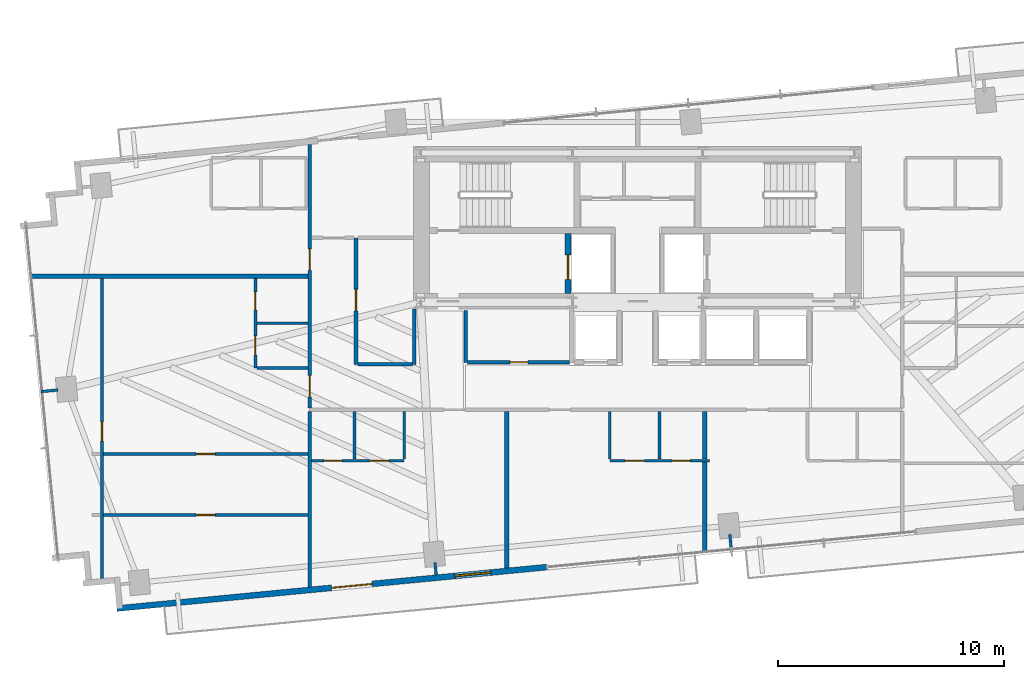
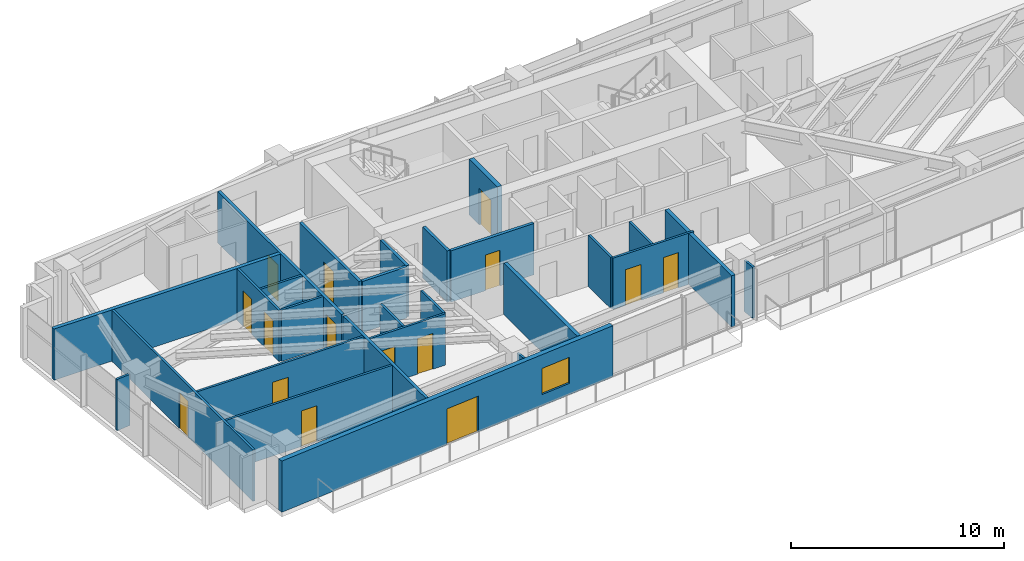
# One storey, part 21 of 27: 28 walls, 15 doors, 1 window, 16 openings.
"""IFC4 building model written with IfcOpenShell, lengths in metres."""

from ifc_helpers import new_model, si_unit, direction, frame, frame_2d, origin, place, context, subcontext, project, spatial, rectangle, extrude, source, transform, mapped, material, layer, layer_set, type_object, type_shapes, element, fill, save


model = new_model("IFC4")

# Units and contexts
model_context = context("Model", 3, precision=1e-05, world=origin(), true_north=direction((0.0, 1.0)))
body_context = subcontext(model_context, "Body", "Model", "MODEL_VIEW")
ifc_project = project(units=[si_unit("LENGTHUNIT", "METRE"), si_unit("AREAUNIT", "SQUARE_METRE"), si_unit("VOLUMEUNIT", "CUBIC_METRE"), si_unit("PLANEANGLEUNIT", "RADIAN"), si_unit("MASSUNIT", "GRAM", prefix="KILO")], contexts=[model_context])

# Site, building, storey
site_placement = place(None, origin())
site = spatial("IfcSite", under=ifc_project, at=site_placement, CompositionType="ELEMENT")
building_placement = place(site_placement, origin())
building = spatial("IfcBuilding", under=site, at=building_placement, Name="Astriad Promenade Condominiums", CompositionType="ELEMENT")
storey_placement = place(building_placement, frame((0.0, 0.0, 113.0)))
storey = spatial("IfcBuildingStorey", under=building, at=storey_placement, Name="L32", CompositionType="ELEMENT", Elevation=113.0)

# Wall, opening, door
ifc_material_1 = material(Name="Concrete C50/60", Category="concrete")
ifc_layer_1 = layer(ifc_material_1, 0.25)
ifc_layer_set_1 = layer_set([ifc_layer_1], Name="Concrete C50/60")
wall_type_1 = type_object("IfcWallType", Name="WALL-CORE-INT-250", PredefinedType="SOLIDWALL", material=ifc_layer_set_1)
wall_1_placement = place(storey_placement, frame((32.925048828125, 17.802001953125, 0.0), z_axis=(0.0, 0.0, 1.0), x_axis=(0.0, 1.0, 0.0)))
wall_1 = element("IfcWall", 1, at=wall_1_placement, inside=storey, type_object=wall_type_1, Name="CW-FFL1-W-L32", PredefinedType="SOLIDWALL", context=body_context, shape_type="SweptSolid", body=[
    extrude(rectangle(XDim=2.64599609375, YDim=0.25, at=frame_2d((1.322998046875, 0.0))), origin(), (0.0, 0.0, 1.0), 3.199951171875),
])
opening_1_placement = place(wall_1_placement, frame((0.597900390625, 0.0, 0.0)))
opening_1 = element("IfcOpeningElement", 2, at=opening_1_placement, cuts=wall_1, Name="Opening LD-FFL-1122", PredefinedType="OPENING", context=body_context, shape_type="SweptSolid", body=[
    extrude(rectangle(XDim=1.10009765625, YDim=2.080078125, at=frame_2d((0.550048828125, 1.0400390625))), frame((0.0, 0.135009765625, 0.0), z_axis=(0.0, -1.0, 0.0), x_axis=(1.0, 0.0, 0.0)), (0.0, 0.0, 1.0), 0.27001953125),
])
ifc_material_2 = material(Name="Brushed Stainless Steel Fire Elevator Landing Door", Category="steel")
door_type_1 = type_object("IfcDoorType", Name="LD-FFL-1122", OperationType="NOTDEFINED", PredefinedType="DOOR", material=ifc_material_2)
shared_shape_1 = source(origin(), body_context, "Body", "SweptSolid", [
    extrude(rectangle(XDim=1.10009765625, YDim=2.080078125, at=frame_2d((0.550048828125, 1.0400390625))), frame((0.0, 0.02490234375, 0.0), z_axis=(0.0, -1.0, 0.0), x_axis=(1.0, 0.0, 0.0)), (0.0, 0.0, 1.0), 0.050048828125),
])
type_shapes(door_type_1, [shared_shape_1])
door_1_placement = place(opening_1_placement, origin())
door_1 = element("IfcDoor", 3, at=door_1_placement, inside=storey, type_object=door_type_1, Name="Elevator Landing Door FFL-1 (L32)", OperationType="SLIDING_TO_LEFT", OverallHeight=2.080078125, OverallWidth=1.10009765625, PredefinedType="DOOR", context=body_context, shape_type="MappedRepresentation", body=[
    mapped(shared_shape_1, transform((0.0, 0.0, 0.0), scale=1.0)),
])
fill(opening_1, door_1)

# Wall
ifc_material_3 = material(Name="Fire-Rated Gypsum Partition")
ifc_layer_2 = layer(ifc_material_3, 0.159912109375)
ifc_layer_set_2 = layer_set([ifc_layer_2], Name="Fire-Rated Gypsum Partition")
wall_type_2 = type_object("IfcWallType", Name="WALL-CORR-160", PredefinedType="PARTITIONING", material=ifc_layer_set_2)
wall_2_placement = place(storey_placement, frame((28.39990234375, 14.75, 0.0), z_axis=(0.0, 0.0, 1.0), x_axis=(0.0, 1.0, 0.0)))
element("IfcWall", 4, at=wall_2_placement, inside=storey, type_object=wall_type_2, Name="REC-L-W-L32", PredefinedType="PARTITIONING", context=body_context, shape_type="SweptSolid", body=[
    extrude(rectangle(XDim=2.300048828125, YDim=0.159912109375, at=frame_2d((1.14990234375, 0.0))), origin(), (0.0, 0.0, 1.0), 2.93994140625),
])

# Wall, opening, door
wall_3_placement = place(storey_placement, frame((28.48193359375, 14.75, 0.0), z_axis=(0.0, 0.0, 1.0), x_axis=(1.0, 0.0, 0.0)))
wall_3 = element("IfcWall", 5, at=wall_3_placement, inside=storey, type_object=wall_type_2, Name="REC-L-S-L32", PredefinedType="PARTITIONING", context=body_context, shape_type="SweptSolid", body=[
    extrude(rectangle(XDim=4.51611328125, YDim=0.159912109375, at=frame_2d((2.258056640625, 0.0))), origin(), (0.0, 0.0, 1.0), 2.93994140625),
])
opening_2_placement = place(wall_3_placement, frame((1.867919921875, 0.0, 0.0)))
opening_2 = element("IfcOpeningElement", 6, at=opening_2_placement, cuts=wall_3, Name="Opening FD60-SV-080", PredefinedType="OPENING", context=body_context, shape_type="SweptSolid", body=[
    extrude(rectangle(XDim=0.800048828125, YDim=2.050048828125, at=frame_2d((0.39990234375, 1.02490234375))), frame((0.0, 0.08984375, 0.0), z_axis=(0.0, -1.0, 0.0), x_axis=(1.0, 0.0, 0.0)), (0.0, 0.0, 1.0), 0.179931640625),
])
ifc_material_4 = material(Name="Fire-Rated Riser Closet Door")
door_type_2 = type_object("IfcDoorType", Name="FD60-SV-080", OperationType="NOTDEFINED", PredefinedType="DOOR", material=ifc_material_4)
shared_shape_2 = source(origin(), body_context, "Body", "SweptSolid", [
    extrude(rectangle(XDim=0.800048828125, YDim=2.050048828125, at=frame_2d((0.39990234375, 1.02490234375))), frame((0.0, 0.02490234375, 0.0), z_axis=(0.0, -1.0, 0.0), x_axis=(1.0, 0.0, 0.0)), (0.0, 0.0, 1.0), 0.050048828125),
])
type_shapes(door_type_2, [shared_shape_2])
door_2_placement = place(opening_2_placement, origin())
door_2 = element("IfcDoor", 7, at=door_2_placement, inside=storey, type_object=door_type_2, Name="D-RECL-L32", OperationType="SINGLE_SWING_RIGHT", OverallHeight=2.050048828125, OverallWidth=0.800048828125, PredefinedType="DOOR", context=body_context, shape_type="MappedRepresentation", body=[
    mapped(shared_shape_2, transform((0.0, 0.0, 0.0), scale=1.0)),
])
fill(opening_2, door_2)

# Wall
wall_4_placement = place(storey_placement, frame((21.5, 4.8125, 0.0), z_axis=(0.0, 0.0, 1.0), x_axis=(0.0, 1.0, 0.0)))
element("IfcWall", 8, at=wall_4_placement, inside=storey, type_object=wall_type_2, Name="PT-COR-W-L32", PredefinedType="PARTITIONING", context=body_context, shape_type="SweptSolid", body=[
    extrude(rectangle(XDim=7.755615234375, YDim=0.159912109375, at=frame_2d((3.8779296875, 0.0))), origin(), (0.0, 0.0, 1.0), 2.93994140625),
])

# Wall, openings, doors
wall_5_placement = place(storey_placement, frame((21.5, 12.73193359375, 0.0), z_axis=(0.0, 0.0, 1.0), x_axis=(0.0, 1.0, 0.0)))
wall_5 = element("IfcWall", 9, at=wall_5_placement, inside=storey, type_object=wall_type_2, Name="PT-COR-W-L32-S2", PredefinedType="PARTITIONING", context=body_context, shape_type="SweptSolid", body=[
    extrude(rectangle(XDim=11.646728515625, YDim=0.159912109375, at=frame_2d((5.8232421875, 0.0))), origin(), (0.0, 0.0, 1.0), 2.93994140625),
])
opening_3_placement = place(wall_5_placement, frame((0.492919921875, 0.0, 0.0)))
opening_3 = element("IfcOpeningElement", 10, at=opening_3_placement, cuts=wall_5, Name="Opening FD60-APT-095", PredefinedType="OPENING", context=body_context, shape_type="SweptSolid", body=[
    extrude(rectangle(XDim=0.949951171875, YDim=2.06005859375, at=frame_2d((0.47509765625, 1.030029296875))), frame((0.0, 0.08984375, 0.0), z_axis=(0.0, -1.0, 0.0), x_axis=(1.0, 0.0, 0.0)), (0.0, 0.0, 1.0), 0.179931640625),
])
opening_4_placement = place(wall_5_placement, frame((6.0849609375, 0.0, 0.0)))
opening_4 = element("IfcOpeningElement", 11, at=opening_4_placement, cuts=wall_5, Name="Opening FD60-APT-095", PredefinedType="OPENING", context=body_context, shape_type="SweptSolid", body=[
    extrude(rectangle(XDim=0.949951171875, YDim=2.06005859375, at=frame_2d((0.47509765625, 1.030029296875))), frame((0.0, 0.08984375, 0.0), z_axis=(0.0, -1.0, 0.0), x_axis=(1.0, 0.0, 0.0)), (0.0, 0.0, 1.0), 0.179931640625),
])
ifc_material_5 = material(Name="Solid-Core Acoustic Timber Residence Entry Door", Category="wood")
door_type_3 = type_object("IfcDoorType", Name="FD60-APT-095", OperationType="NOTDEFINED", PredefinedType="DOOR", material=ifc_material_5)
shared_shape_3 = source(origin(), body_context, "Body", "SweptSolid", [
    extrude(rectangle(XDim=0.949951171875, YDim=2.06005859375, at=frame_2d((0.47509765625, 1.030029296875))), frame((0.0, 0.02490234375, 0.0), z_axis=(0.0, -1.0, 0.0), x_axis=(1.0, 0.0, 0.0)), (0.0, 0.0, 1.0), 0.050048828125),
])
type_shapes(door_type_3, [shared_shape_3])
door_3_placement = place(opening_3_placement, origin())
door_3 = element("IfcDoor", 12, at=door_3_placement, inside=storey, type_object=door_type_3, Name="D-ENT-L32-W1", OperationType="SINGLE_SWING_RIGHT", OverallHeight=2.06005859375, OverallWidth=0.949951171875, PredefinedType="DOOR", context=body_context, shape_type="MappedRepresentation", body=[
    mapped(shared_shape_3, transform((0.0, 0.0, 0.0), scale=1.0)),
])
fill(opening_3, door_3)
door_4_placement = place(opening_4_placement, origin())
door_4 = element("IfcDoor", 13, at=door_4_placement, inside=storey, type_object=door_type_3, Name="D-ENT-L32-W2", OperationType="SINGLE_SWING_RIGHT", OverallHeight=2.06005859375, OverallWidth=0.949951171875, PredefinedType="DOOR", context=body_context, shape_type="MappedRepresentation", body=[
    mapped(shared_shape_3, transform((0.0, 0.0, 0.0), scale=1.0)),
])
fill(opening_4, door_4)

# Wall, opening, door
wall_6_placement = place(storey_placement, frame((23.550048828125, 14.659912109375, 0.0), z_axis=(0.0, 0.0, 1.0), x_axis=(0.0, 1.0, 0.0)))
wall_6 = element("IfcWall", 14, at=wall_6_placement, inside=storey, type_object=wall_type_2, Name="PT-HK-E-L32", PredefinedType="PARTITIONING", context=body_context, shape_type="SweptSolid", body=[
    extrude(rectangle(XDim=5.590087890625, YDim=0.159912109375, at=frame_2d((2.794921875, 0.0))), origin(), (0.0, 0.0, 1.0), 2.93994140625),
])
opening_5_placement = place(wall_6_placement, frame((2.360107421875, 0.0, 0.0)))
opening_5 = element("IfcOpeningElement", 15, at=opening_5_placement, cuts=wall_6, Name="Opening FD60-APT-095", PredefinedType="OPENING", context=body_context, shape_type="SweptSolid", body=[
    extrude(rectangle(XDim=0.949951171875, YDim=2.06005859375, at=frame_2d((0.47509765625, 1.030029296875))), frame((0.0, 0.08984375, 0.0), z_axis=(0.0, -1.0, 0.0), x_axis=(1.0, 0.0, 0.0)), (0.0, 0.0, 1.0), 0.179931640625),
])
door_5_placement = place(opening_5_placement, origin())
door_5 = element("IfcDoor", 16, at=door_5_placement, inside=storey, type_object=door_type_3, Name="D-HKA-L32", OperationType="SINGLE_SWING_LEFT", OverallHeight=2.06005859375, OverallWidth=0.949951171875, PredefinedType="DOOR", context=body_context, shape_type="MappedRepresentation", body=[
    mapped(shared_shape_3, transform((0.0, 0.0, 0.0), scale=1.0)),
])
fill(opening_5, door_5)

# Walls
wall_7_placement = place(storey_placement, frame((26.1201171875, 14.659912109375, 0.0), z_axis=(0.0, 0.0, 1.0), x_axis=(0.0, 1.0, 0.0)))
element("IfcWall", 17, at=wall_7_placement, inside=storey, type_object=wall_type_2, Name="PT-WSPUR-W-L32", PredefinedType="PARTITIONING", context=body_context, shape_type="SweptSolid", body=[
    extrude(rectangle(XDim=2.43798828125, YDim=0.159912109375, at=frame_2d((1.218994140625, 0.0))), origin(), (0.0, 0.0, 1.0), 2.93994140625),
])
wall_8_placement = place(storey_placement, frame((23.632080078125, 14.659912109375, 0.0), z_axis=(0.0, 0.0, 1.0), x_axis=(1.0, 0.0, 0.0)))
element("IfcWall", 18, at=wall_8_placement, inside=storey, type_object=wall_type_2, Name="PT-HK-S-L32", PredefinedType="PARTITIONING", context=body_context, shape_type="SweptSolid", body=[
    extrude(rectangle(XDim=2.406005859375, YDim=0.159912109375, at=frame_2d((1.203125, 0.0))), origin(), (0.0, 0.0, 1.0), 2.93994140625),
])
ifc_material_6 = material(Name="Acoustic Double-Stud Gypsum Partition")
ifc_layer_3 = layer(ifc_material_6, 0.199951171875)
ifc_layer_set_3 = layer_set([ifc_layer_3], Name="Acoustic Double-Stud Gypsum Partition")
wall_type_3 = type_object("IfcWallType", Name="WALL-DEMISING-200", PredefinedType="PARTITIONING", material=ifc_layer_set_3)
wall_9_placement = place(storey_placement, frame((30.22509765625, 5.652587890625, 0.0), z_axis=(0.0, 0.0, 1.0), x_axis=(0.0, 1.0, 0.0)))
element("IfcWall", 19, at=wall_9_placement, inside=storey, type_object=wall_type_3, Name="PT-DEM-S1-L32", PredefinedType="PARTITIONING", context=body_context, shape_type="SweptSolid", body=[
    extrude(rectangle(XDim=6.91552734375, YDim=0.199951171875, at=frame_2d((3.457763671875, 0.0))), origin(), (0.0, 0.0, 1.0), 2.93994140625),
])
wall_10_placement = place(storey_placement, frame((38.97509765625, 6.3125, 0.0), z_axis=(0.0, 0.0, 1.0), x_axis=(0.0, 1.0, 0.0)))
element("IfcWall", 20, at=wall_10_placement, inside=storey, type_object=wall_type_3, Name="PT-DEM-S2-L32", PredefinedType="PARTITIONING", context=body_context, shape_type="SweptSolid", body=[
    extrude(rectangle(XDim=4.025390625, YDim=0.199951171875, at=frame_2d((2.0126953125, 0.0))), origin(), (0.0, 0.0, 1.0), 2.93994140625),
])
wall_11_placement = place(storey_placement, frame((38.97509765625, 10.4619140625, 0.0), z_axis=(0.0, 0.0, 1.0), x_axis=(0.0, 1.0, 0.0)))
element("IfcWall", 21, at=wall_11_placement, inside=storey, type_object=wall_type_3, Name="PT-DEM-S2-L32-S2", PredefinedType="PARTITIONING", context=body_context, shape_type="SweptSolid", body=[
    extrude(rectangle(XDim=2.106201171875, YDim=0.199951171875, at=frame_2d((1.05322265625, 0.0))), origin(), (0.0, 0.0, 1.0), 2.93994140625),
])
wall_12_placement = place(storey_placement, frame((9.1259765625, 18.550048828125, 0.0), z_axis=(0.0, 0.0, 1.0), x_axis=(1.0, 0.0, 0.0)))
element("IfcWall", 22, at=wall_12_placement, inside=storey, type_object=wall_type_3, Name="PT-DEM-WW-L32", PredefinedType="PARTITIONING", context=body_context, shape_type="SweptSolid", body=[
    extrude(rectangle(XDim=12.2919921875, YDim=0.199951171875, at=frame_2d((6.14599609375, 0.0))), origin(), (0.0, 0.0, 1.0), 2.93994140625),
])

# Wall, openings, door, window
ifc_material_7 = material(Name="Precast concrete C50/60", Category="concrete")
ifc_layer_4 = layer(ifc_material_7, 0.260009765625)
ifc_layer_set_4 = layer_set([ifc_layer_4], Name="Precast concrete C50/60")
wall_type_4 = type_object("IfcWallType", Name="WALL-EXT-TWR-260", PredefinedType="STANDARD", material=ifc_layer_set_4)
wall_13_placement = place(storey_placement, frame((31.99365234375, 5.6904296875, 0.0), z_axis=(0.0, 0.0, 1.0), x_axis=(-0.995396521236, -0.095842399342, 0.0)))
wall_13 = element("IfcWall", 23, at=wall_13_placement, inside=storey, type_object=wall_type_4, Name="W-EXT-L32-S2", PredefinedType="STANDARD", context=body_context, shape_type="SweptSolid", body=[
    extrude(rectangle(XDim=19.10986328125, YDim=0.260009765625, at=frame_2d((9.554931640625, 0.0))), origin(), (0.0, 0.0, 1.0), 2.93994140625),
])
opening_6_placement = place(wall_13_placement, frame((7.77001953125, 0.0, 0.0)))
opening_6 = element("IfcOpeningElement", 24, at=opening_6_placement, cuts=wall_13, Name="Opening BD-1822-SLD", PredefinedType="OPENING", context=body_context, shape_type="SweptSolid", body=[
    extrude(rectangle(XDim=1.800048828125, YDim=2.06005859375, at=frame_2d((0.89990234375, 1.030029296875))), frame((0.0, 0.139892578125, 0.0), z_axis=(0.0, -1.0, 0.0), x_axis=(1.0, 0.0, 0.0)), (0.0, 0.0, 1.0), 0.280029296875),
])
opening_7_placement = place(wall_13_placement, frame((2.5, 0.0, 0.64990234375)))
opening_7 = element("IfcOpeningElement", 25, at=opening_7_placement, cuts=wall_13, Name="Opening WIN-TWR-1620", PredefinedType="OPENING", context=body_context, shape_type="SweptSolid", body=[
    extrude(rectangle(XDim=1.60009765625, YDim=1.5, at=frame_2d((0.800048828125, 0.75))), frame((0.0, 0.139892578125, 0.0), z_axis=(0.0, -1.0, 0.0), x_axis=(1.0, 0.0, 0.0)), (0.0, 0.0, 1.0), 0.280029296875),
])
ifc_material_8 = material(Name="Thermally Broken Aluminium Sliding Balcony Door", Category="aluminium")
door_type_4 = type_object("IfcDoorType", Name="BD-1822-SLD", OperationType="NOTDEFINED", PredefinedType="DOOR", material=ifc_material_8)
shared_shape_4 = source(origin(), body_context, "Body", "SweptSolid", [
    extrude(rectangle(XDim=1.800048828125, YDim=2.06005859375, at=frame_2d((0.89990234375, 1.030029296875))), frame((0.0, 0.02490234375, 0.0), z_axis=(0.0, -1.0, 0.0), x_axis=(1.0, 0.0, 0.0)), (0.0, 0.0, 1.0), 0.050048828125),
])
type_shapes(door_type_4, [shared_shape_4])
door_6_placement = place(opening_6_placement, origin())
door_6 = element("IfcDoor", 26, at=door_6_placement, inside=storey, type_object=door_type_4, Name="BD-L32-SW", OperationType="SLIDING_TO_LEFT", OverallHeight=2.06005859375, OverallWidth=1.800048828125, PredefinedType="DOOR", context=body_context, shape_type="MappedRepresentation", body=[
    mapped(shared_shape_4, transform((0.0, 0.0, 0.0), scale=1.0)),
])
fill(opening_6, door_6)
ifc_material_9 = material(Name="Dark Tinted Triple-Glazed Aluminium Window", Category="aluminium")
window_type = type_object("IfcWindowType", Name="WIN-TWR-1620", PartitioningType="SINGLE_PANEL", PredefinedType="WINDOW", material=ifc_material_9)
shared_shape_5 = source(origin(), body_context, "Body", "SweptSolid", [
    extrude(rectangle(XDim=1.60009765625, YDim=1.5, at=frame_2d((0.800048828125, 0.75))), frame((0.0, 0.030029296875, 0.0), z_axis=(0.0, -1.0, 0.0), x_axis=(1.0, 0.0, 0.0)), (0.0, 0.0, 1.0), 0.06005859375),
])
type_shapes(window_type, [shared_shape_5])
window_placement = place(opening_7_placement, origin())
window = element("IfcWindow", 27, at=window_placement, inside=storey, type_object=window_type, Name="WIN-L32-SW", OverallHeight=1.5, OverallWidth=1.60009765625, PartitioningType="SINGLE_PANEL", PredefinedType="WINDOW", context=body_context, shape_type="MappedRepresentation", body=[
    mapped(shared_shape_5, transform((0.0, 0.0, 0.0), scale=1.0)),
])
fill(opening_7, window)

# Wall, openings, doors
ifc_material_10 = material(Name="Acoustic Metal-Stud Gypsum Partition")
ifc_layer_5 = layer(ifc_material_10, 0.1201171875)
ifc_layer_set_5 = layer_set([ifc_layer_5], Name="Acoustic Metal-Stud Gypsum Partition")
wall_type_5 = type_object("IfcWallType", Name="WALL-PART-120", PredefinedType="PARTITIONING", material=ifc_layer_set_5)
wall_14_placement = place(storey_placement, frame((21.58203125, 10.39990234375, 0.0), z_axis=(0.0, 0.0, 1.0), x_axis=(1.0, 0.0, 0.0)))
wall_14 = element("IfcWall", 28, at=wall_14_placement, inside=storey, type_object=wall_type_5, Name="PT-L32-S1-PS", PredefinedType="PARTITIONING", context=body_context, shape_type="SweptSolid", body=[
    extrude(rectangle(XDim=4.097900390625, YDim=0.1201171875, at=frame_2d((2.048828125, 0.0))), origin(), (0.0, 0.0, 1.0), 2.93994140625),
])
opening_8_placement = place(wall_14_placement, frame((0.548095703125, 0.0, 0.0)))
opening_8 = element("IfcOpeningElement", 29, at=opening_8_placement, cuts=wall_14, Name="Opening D-WET-080", PredefinedType="OPENING", context=body_context, shape_type="SweptSolid", body=[
    extrude(rectangle(XDim=0.800048828125, YDim=2.02001953125, at=frame_2d((0.39990234375, 1.010009765625))), frame((0.0, 0.070068359375, 0.0), z_axis=(0.0, -1.0, 0.0), x_axis=(1.0, 0.0, 0.0)), (0.0, 0.0, 1.0), 0.14013671875),
])
opening_9_placement = place(wall_14_placement, frame((2.572998046875, 0.0, 0.0)))
opening_9 = element("IfcOpeningElement", 30, at=opening_9_placement, cuts=wall_14, Name="Opening D-INT-085", PredefinedType="OPENING", context=body_context, shape_type="SweptSolid", body=[
    extrude(rectangle(XDim=0.85009765625, YDim=2.050048828125, at=frame_2d((0.425048828125, 1.02490234375))), frame((0.0, 0.070068359375, 0.0), z_axis=(0.0, -1.0, 0.0), x_axis=(1.0, 0.0, 0.0)), (0.0, 0.0, 1.0), 0.14013671875),
])
ifc_material_11 = material(Name="Moisture-Resistant Timber Bathroom Door", Category="wood")
door_type_5 = type_object("IfcDoorType", Name="D-WET-080", OperationType="NOTDEFINED", PredefinedType="DOOR", material=ifc_material_11)
shared_shape_6 = source(origin(), body_context, "Body", "SweptSolid", [
    extrude(rectangle(XDim=0.800048828125, YDim=2.02001953125, at=frame_2d((0.39990234375, 1.010009765625))), frame((0.0, 0.02490234375, 0.0), z_axis=(0.0, -1.0, 0.0), x_axis=(1.0, 0.0, 0.0)), (0.0, 0.0, 1.0), 0.050048828125),
])
type_shapes(door_type_5, [shared_shape_6])
door_7_placement = place(opening_8_placement, origin())
door_7 = element("IfcDoor", 31, at=door_7_placement, inside=storey, type_object=door_type_5, Name="D-BTH-L32-S1", OperationType="SINGLE_SWING_RIGHT", OverallHeight=2.02001953125, OverallWidth=0.800048828125, PredefinedType="DOOR", context=body_context, shape_type="MappedRepresentation", body=[
    mapped(shared_shape_6, transform((0.0, 0.0, 0.0), scale=1.0)),
])
fill(opening_8, door_7)
ifc_material_12 = material(Name="Painted Solid-Core Timber Room Door", Category="wood")
door_type_6 = type_object("IfcDoorType", Name="D-INT-085", OperationType="NOTDEFINED", PredefinedType="DOOR", material=ifc_material_12)
shared_shape_7 = source(origin(), body_context, "Body", "SweptSolid", [
    extrude(rectangle(XDim=0.85009765625, YDim=2.050048828125, at=frame_2d((0.425048828125, 1.02490234375))), frame((0.0, 0.02490234375, 0.0), z_axis=(0.0, -1.0, 0.0), x_axis=(1.0, 0.0, 0.0)), (0.0, 0.0, 1.0), 0.050048828125),
])
type_shapes(door_type_6, [shared_shape_7])
door_8_placement = place(opening_9_placement, origin())
door_8 = element("IfcDoor", 32, at=door_8_placement, inside=storey, type_object=door_type_6, Name="D-KIT-L32-S1", OperationType="SINGLE_SWING_LEFT", OverallHeight=2.050048828125, OverallWidth=0.85009765625, PredefinedType="DOOR", context=body_context, shape_type="MappedRepresentation", body=[
    mapped(shared_shape_7, transform((0.0, 0.0, 0.0), scale=1.0)),
])
fill(opening_9, door_8)

# Walls
for number, where, z_axis, x_axis, name in (
    (33, (25.679931640625, 10.4619140625, 0.0), (0.0, 0.0, 1.0), (0.0, 1.0, 0.0), "PT-L32-S1-PK"),
    (34, (23.47998046875, 10.4619140625, 0.0), (0.0, 0.0, 1.0), (0.0, 1.0, 0.0), "PT-L32-S1-PB"),
):
    element("IfcWall", number, at=place(storey_placement, frame(where, z_axis=z_axis, x_axis=x_axis)), inside=storey, type_object=wall_type_5, Name=name, PredefinedType="PARTITIONING", context=body_context, shape_type="SweptSolid", body=[
        extrude(rectangle(XDim=2.106201171875, YDim=0.1201171875, at=frame_2d((1.05322265625, 0.0))), origin(), (0.0, 0.0, 1.0), 2.93994140625),
    ])

# Wall, openings, doors
wall_15_placement = place(storey_placement, frame((34.77490234375, 10.39990234375, 0.0), z_axis=(0.0, 0.0, 1.0), x_axis=(1.0, 0.0, 0.0)))
wall_15 = element("IfcWall", 35, at=wall_15_placement, inside=storey, type_object=wall_type_5, Name="PT-L32-S2-PS", PredefinedType="PARTITIONING", context=body_context, shape_type="SweptSolid", body=[
    extrude(rectangle(XDim=4.400146484375, YDim=0.1201171875, at=frame_2d((2.2001953125, 0.0))), origin(), (0.0, 0.0, 1.0), 2.93994140625),
])
opening_10_placement = place(wall_15_placement, frame((0.675048828125, 0.0, 0.0)))
opening_10 = element("IfcOpeningElement", 36, at=opening_10_placement, cuts=wall_15, Name="Opening D-INT-085", PredefinedType="OPENING", context=body_context, shape_type="SweptSolid", body=[
    extrude(rectangle(XDim=0.85009765625, YDim=2.050048828125, at=frame_2d((0.425048828125, 1.02490234375))), frame((0.0, 0.070068359375, 0.0), z_axis=(0.0, -1.0, 0.0), x_axis=(1.0, 0.0, 0.0)), (0.0, 0.0, 1.0), 0.14013671875),
])
opening_11_placement = place(wall_15_placement, frame((2.75, 0.0, 0.0)))
opening_11 = element("IfcOpeningElement", 37, at=opening_11_placement, cuts=wall_15, Name="Opening D-WET-080", PredefinedType="OPENING", context=body_context, shape_type="SweptSolid", body=[
    extrude(rectangle(XDim=0.800048828125, YDim=2.02001953125, at=frame_2d((0.39990234375, 1.010009765625))), frame((0.0, 0.070068359375, 0.0), z_axis=(0.0, -1.0, 0.0), x_axis=(1.0, 0.0, 0.0)), (0.0, 0.0, 1.0), 0.14013671875),
])
door_9_placement = place(opening_11_placement, origin())
door_9 = element("IfcDoor", 38, at=door_9_placement, inside=storey, type_object=door_type_5, Name="D-BTH-L32-S2", OperationType="SINGLE_SWING_RIGHT", OverallHeight=2.02001953125, OverallWidth=0.800048828125, PredefinedType="DOOR", context=body_context, shape_type="MappedRepresentation", body=[
    mapped(shared_shape_6, transform((0.0, 0.0, 0.0), scale=1.0)),
])
fill(opening_11, door_9)
door_10_placement = place(opening_10_placement, origin())
door_10 = element("IfcDoor", 39, at=door_10_placement, inside=storey, type_object=door_type_6, Name="D-KIT-L32-S2", OperationType="SINGLE_SWING_LEFT", OverallHeight=2.050048828125, OverallWidth=0.85009765625, PredefinedType="DOOR", context=body_context, shape_type="MappedRepresentation", body=[
    mapped(shared_shape_7, transform((0.0, 0.0, 0.0), scale=1.0)),
])
fill(opening_10, door_10)

# Walls
for number, where, z_axis, x_axis, name in (
    (40, (34.77490234375, 10.4619140625, 0.0), (0.0, 0.0, 1.0), (0.0, 1.0, 0.0), "PT-L32-S2-PK"),
    (41, (36.97509765625, 10.4619140625, 0.0), (0.0, 0.0, 1.0), (0.0, 1.0, 0.0), "PT-L32-S2-PB"),
):
    element("IfcWall", number, at=place(storey_placement, frame(where, z_axis=z_axis, x_axis=x_axis)), inside=storey, type_object=wall_type_5, Name=name, PredefinedType="PARTITIONING", context=body_context, shape_type="SweptSolid", body=[
        extrude(rectangle(XDim=2.106201171875, YDim=0.1201171875, at=frame_2d((1.05322265625, 0.0))), origin(), (0.0, 0.0, 1.0), 2.93994140625),
    ])

# Wall, openings, doors
wall_16_placement = place(storey_placement, frame((19.10009765625, 14.5, 0.0), z_axis=(0.0, 0.0, 1.0), x_axis=(0.0, 1.0, 0.0)))
wall_16 = element("IfcWall", 42, at=wall_16_placement, inside=storey, type_object=wall_type_5, Name="PT-L32-W1-PV", PredefinedType="PARTITIONING", context=body_context, shape_type="SweptSolid", body=[
    extrude(rectangle(XDim=3.947998046875, YDim=0.1201171875, at=frame_2d((1.97412109375, 0.0))), origin(), (0.0, 0.0, 1.0), 2.93994140625),
])
opening_12_placement = place(wall_16_placement, frame((0.56298828125, 0.0, 0.0)))
opening_12 = element("IfcOpeningElement", 43, at=opening_12_placement, cuts=wall_16, Name="Opening D-INT-085", PredefinedType="OPENING", context=body_context, shape_type="SweptSolid", body=[
    extrude(rectangle(XDim=0.85009765625, YDim=2.050048828125, at=frame_2d((0.425048828125, 1.02490234375))), frame((0.0, 0.070068359375, 0.0), z_axis=(0.0, -1.0, 0.0), x_axis=(1.0, 0.0, 0.0)), (0.0, 0.0, 1.0), 0.14013671875),
])
opening_13_placement = place(wall_16_placement, frame((2.56201171875, 0.0, 0.0)))
opening_13 = element("IfcOpeningElement", 44, at=opening_13_placement, cuts=wall_16, Name="Opening D-WET-080", PredefinedType="OPENING", context=body_context, shape_type="SweptSolid", body=[
    extrude(rectangle(XDim=0.800048828125, YDim=2.02001953125, at=frame_2d((0.39990234375, 1.010009765625))), frame((0.0, 0.070068359375, 0.0), z_axis=(0.0, -1.0, 0.0), x_axis=(1.0, 0.0, 0.0)), (0.0, 0.0, 1.0), 0.14013671875),
])
door_11_placement = place(opening_13_placement, origin())
door_11 = element("IfcDoor", 45, at=door_11_placement, inside=storey, type_object=door_type_5, Name="D-BTH-L32-W1", OperationType="SINGLE_SWING_RIGHT", OverallHeight=2.02001953125, OverallWidth=0.800048828125, PredefinedType="DOOR", context=body_context, shape_type="MappedRepresentation", body=[
    mapped(shared_shape_6, transform((0.0, 0.0, 0.0), scale=1.0)),
])
fill(opening_13, door_11)
door_12_placement = place(opening_12_placement, origin())
door_12 = element("IfcDoor", 46, at=door_12_placement, inside=storey, type_object=door_type_6, Name="D-KIT-L32-W1", OperationType="SINGLE_SWING_LEFT", OverallHeight=2.050048828125, OverallWidth=0.85009765625, PredefinedType="DOOR", context=body_context, shape_type="MappedRepresentation", body=[
    mapped(shared_shape_7, transform((0.0, 0.0, 0.0), scale=1.0)),
])
fill(opening_12, door_12)

# Walls
for number, where, z_axis, x_axis, name in (
    (47, (19.162109375, 16.47509765625, 0.0), (0.0, 0.0, 1.0), (1.0, 0.0, 0.0), "PT-L32-W1-PM"),
    (48, (19.162109375, 14.5, 0.0), (0.0, 0.0, 1.0), (1.0, 0.0, 0.0), "PT-L32-W1-PS"),
):
    element("IfcWall", number, at=place(storey_placement, frame(where, z_axis=z_axis, x_axis=x_axis)), inside=storey, type_object=wall_type_5, Name=name, PredefinedType="PARTITIONING", context=body_context, shape_type="SweptSolid", body=[
        extrude(rectangle(XDim=2.255859375, YDim=0.1201171875, at=frame_2d((1.1279296875, 0.0))), origin(), (0.0, 0.0, 1.0), 2.93994140625),
    ])

# Wall, opening, door
wall_17_placement = place(storey_placement, frame((12.31494140625, 5.18408203125, 0.0), z_axis=(0.0, 0.0, 1.0), x_axis=(0.0, 1.0, 0.0)))
wall_17 = element("IfcWall", 49, at=wall_17_placement, inside=storey, type_object=wall_type_5, Name="PT-L32-W1-B1", PredefinedType="PARTITIONING", context=body_context, shape_type="SweptSolid", body=[
    extrude(rectangle(XDim=13.263916015625, YDim=0.1201171875, at=frame_2d((6.6318359375, 0.0))), origin(), (0.0, 0.0, 1.0), 2.93994140625),
])
opening_14_placement = place(wall_17_placement, frame((6.075927734375, 0.0, 0.0)))
opening_14 = element("IfcOpeningElement", 50, at=opening_14_placement, cuts=wall_17, Name="Opening D-INT-085", PredefinedType="OPENING", context=body_context, shape_type="SweptSolid", body=[
    extrude(rectangle(XDim=0.85009765625, YDim=2.050048828125, at=frame_2d((0.425048828125, 1.02490234375))), frame((0.0, 0.070068359375, 0.0), z_axis=(0.0, -1.0, 0.0), x_axis=(1.0, 0.0, 0.0)), (0.0, 0.0, 1.0), 0.14013671875),
])
door_13_placement = place(opening_14_placement, origin())
door_13 = element("IfcDoor", 51, at=door_13_placement, inside=storey, type_object=door_type_6, Name="D-BD1-L32-W1", OperationType="SINGLE_SWING_LEFT", OverallHeight=2.050048828125, OverallWidth=0.85009765625, PredefinedType="DOOR", context=body_context, shape_type="MappedRepresentation", body=[
    mapped(shared_shape_7, transform((0.0, 0.0, 0.0), scale=1.0)),
])
fill(opening_14, door_13)

wall_18_placement = place(storey_placement, frame((12.376953125, 7.9951171875, 0.0), z_axis=(0.0, 0.0, 1.0), x_axis=(1.0, 0.0, 0.0)))
wall_18 = element("IfcWall", 52, at=wall_18_placement, inside=storey, type_object=wall_type_5, Name="PT-L32-W1-WDS1-S2", PredefinedType="PARTITIONING", context=body_context, shape_type="SweptSolid", body=[
    extrude(rectangle(XDim=9.041015625, YDim=0.1201171875, at=frame_2d((4.5205078125, 0.0))), origin(), (0.0, 0.0, 1.0), 2.93994140625),
])
opening_15_placement = place(wall_18_placement, frame((4.095947265625, 0.0, 0.0)))
opening_15 = element("IfcOpeningElement", 53, at=opening_15_placement, cuts=wall_18, Name="Opening D-INT-085", PredefinedType="OPENING", context=body_context, shape_type="SweptSolid", body=[
    extrude(rectangle(XDim=0.85009765625, YDim=2.050048828125, at=frame_2d((0.425048828125, 1.02490234375))), frame((0.0, 0.070068359375, 0.0), z_axis=(0.0, -1.0, 0.0), x_axis=(1.0, 0.0, 0.0)), (0.0, 0.0, 1.0), 0.14013671875),
])
door_14_placement = place(opening_15_placement, origin())
door_14 = element("IfcDoor", 54, at=door_14_placement, inside=storey, type_object=door_type_6, Name="D-WDS1-L32-W1", OperationType="SINGLE_SWING_RIGHT", OverallHeight=2.050048828125, OverallWidth=0.85009765625, PredefinedType="DOOR", context=body_context, shape_type="MappedRepresentation", body=[
    mapped(shared_shape_7, transform((0.0, 0.0, 0.0), scale=1.0)),
])
fill(opening_15, door_14)

wall_19_placement = place(storey_placement, frame((12.376953125, 10.69189453125, 0.0), z_axis=(0.0, 0.0, 1.0), x_axis=(1.0, 0.0, 0.0)))
wall_19 = element("IfcWall", 55, at=wall_19_placement, inside=storey, type_object=wall_type_5, Name="PT-L32-W1-WDS2-S2", PredefinedType="PARTITIONING", context=body_context, shape_type="SweptSolid", body=[
    extrude(rectangle(XDim=9.041015625, YDim=0.1201171875, at=frame_2d((4.5205078125, 0.0))), origin(), (0.0, 0.0, 1.0), 2.93994140625),
])
opening_16_placement = place(wall_19_placement, frame((4.095947265625, 0.0, 0.0)))
opening_16 = element("IfcOpeningElement", 56, at=opening_16_placement, cuts=wall_19, Name="Opening D-INT-085", PredefinedType="OPENING", context=body_context, shape_type="SweptSolid", body=[
    extrude(rectangle(XDim=0.85009765625, YDim=2.050048828125, at=frame_2d((0.425048828125, 1.02490234375))), frame((0.0, 0.070068359375, 0.0), z_axis=(0.0, -1.0, 0.0), x_axis=(1.0, 0.0, 0.0)), (0.0, 0.0, 1.0), 0.14013671875),
])
door_15_placement = place(opening_16_placement, origin())
door_15 = element("IfcDoor", 57, at=door_15_placement, inside=storey, type_object=door_type_6, Name="D-WDS2-L32-W1", OperationType="SINGLE_SWING_LEFT", OverallHeight=2.050048828125, OverallWidth=0.85009765625, PredefinedType="DOOR", context=body_context, shape_type="MappedRepresentation", body=[
    mapped(shared_shape_7, transform((0.0, 0.0, 0.0), scale=1.0)),
])
fill(opening_16, door_15)

# Walls
wall_20_placement = place(storey_placement, frame((27.0419921875, 5.88671875, 0.0), z_axis=(0.0, 0.0, 1.0), x_axis=(0.096222656154, -0.995359834654, 0.0)))
element("IfcWall", 58, at=wall_20_placement, inside=storey, type_object=wall_type_5, Name="PT-PIL-L32-PC02-9", PredefinedType="PARTITIONING", context=body_context, shape_type="SweptSolid", body=[
    extrude(rectangle(XDim=0.537841796875, YDim=0.1201171875, at=frame_2d((0.26904296875, 0.0))), origin(), (0.0, 0.0, 1.0), 2.93994140625),
])
wall_21_placement = place(storey_placement, frame((40.081787109375, 7.142333984375, 0.0), z_axis=(0.0, 0.0, 1.0), x_axis=(0.095944965663, -0.995386640238, 0.0)))
element("IfcWall", 59, at=wall_21_placement, inside=storey, type_object=wall_type_5, Name="PT-PIL-L32-PC03-10", PredefinedType="PARTITIONING", context=body_context, shape_type="SweptSolid", body=[
    extrude(rectangle(XDim=0.72021484375, YDim=0.1201171875, at=frame_2d((0.360107421875, 0.0))), origin(), (0.0, 0.0, 1.0), 2.93994140625),
])
wall_22_placement = place(storey_placement, frame((10.373291015625, 13.5244140625, 0.0), z_axis=(0.0, 0.0, 1.0), x_axis=(-0.995377786728, -0.096036772582, 0.0)))
element("IfcWall", 60, at=wall_22_placement, inside=storey, type_object=wall_type_5, Name="PT-PIL-L32-PC11-18", PredefinedType="PARTITIONING", context=body_context, shape_type="SweptSolid", body=[
    extrude(rectangle(XDim=0.760009765625, YDim=0.1201171875, at=frame_2d((0.3798828125, 0.0))), origin(), (0.0, 0.0, 1.0), 2.93994140625),
])

save(model, "model.ifc")
